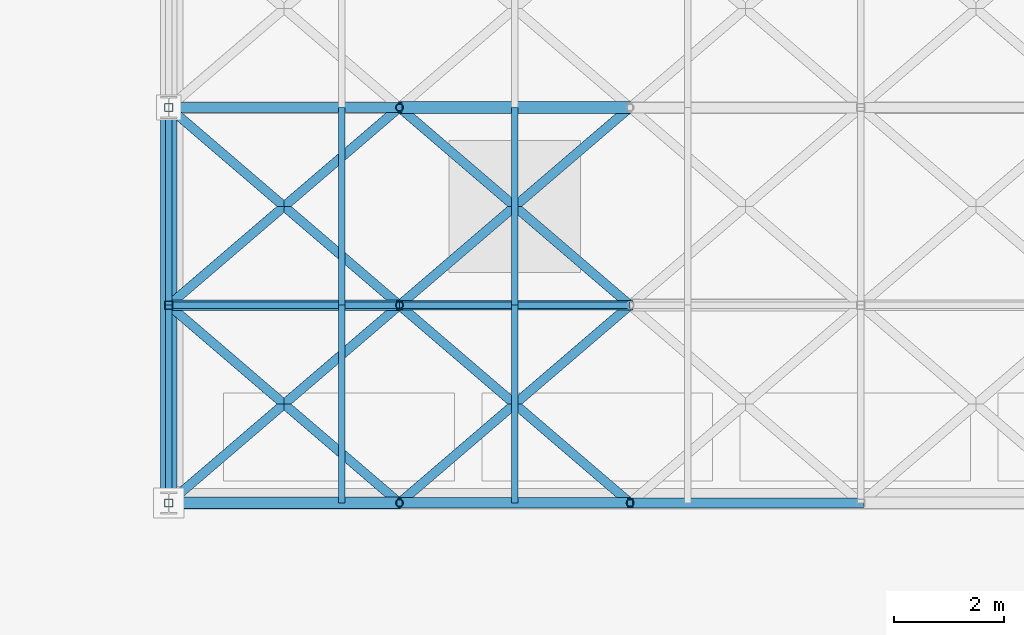
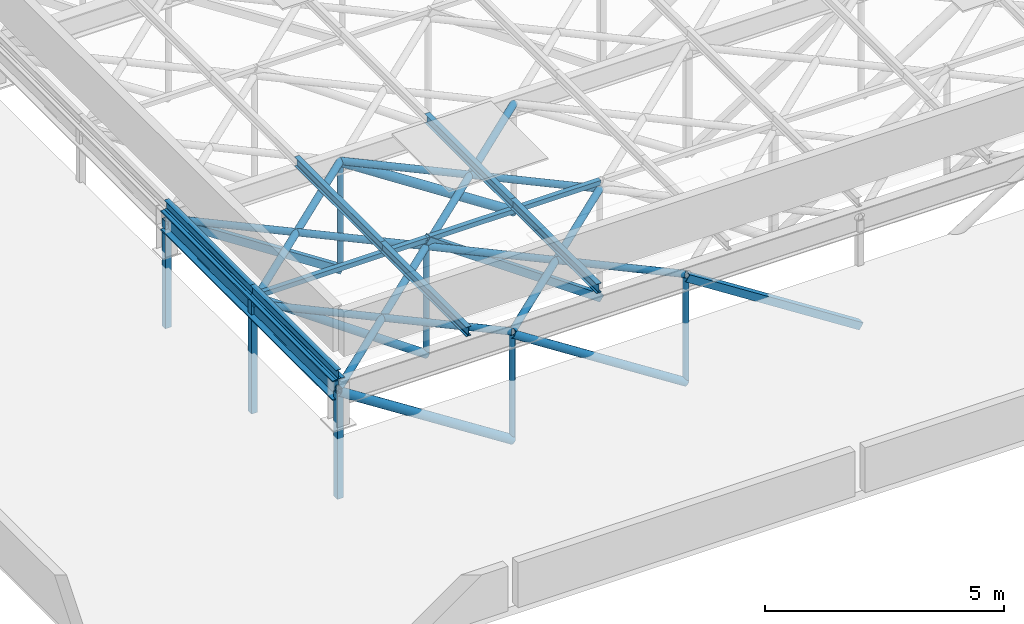
# One storey, part 4 of 45: 30 members, 1 beam.
"""IFC4 building model written with IfcOpenShell, lengths in metres."""

from ifc_helpers import new_model, si_unit, derived_unit, direction, frame, origin, origin_2d, place, context, subcontext, project, spatial, hollow_rectangle, hollow_circle, i_section, extrude, material, material_profile, profile_set, type_object, element, save


model = new_model("IFC4")

# Units and contexts
model_context = context("Model", 3, precision=1e-05, world=origin(), true_north=direction((0.0, 1.0)))
body_context = subcontext(model_context, "Body", "Model", "MODEL_VIEW")
ifc_project = project(units=[si_unit("LENGTHUNIT", "METRE"), si_unit("AREAUNIT", "SQUARE_METRE"), si_unit("VOLUMEUNIT", "CUBIC_METRE"), si_unit("PLANEANGLEUNIT", "RADIAN"), si_unit("MASSUNIT", "GRAM", prefix="KILO"), derived_unit("THERMALTRANSMITTANCEUNIT", [(si_unit("MASSUNIT", "GRAM", prefix="KILO"), 1), (si_unit("TIMEUNIT", "SECOND"), -3), (si_unit("THERMODYNAMICTEMPERATUREUNIT", "KELVIN"), -1)])], contexts=[model_context])

# Site, building, storey
site_placement = place(None, origin())
site = spatial("IfcSite", under=ifc_project, at=site_placement, CompositionType="ELEMENT")
building_placement = place(site_placement, origin())
building = spatial("IfcBuilding", under=site, at=building_placement, Name="Veldstrom Oceanarium and Marine Research Institute", CompositionType="ELEMENT")
storey_placement = place(building_placement, frame((0.0, 0.0, 22.199951171875)))
storey = spatial("IfcBuildingStorey", under=building, at=storey_placement, Name="L04", CompositionType="ELEMENT", Elevation=22.199951171875)

# Beam
ifc_material_1 = material(Name="Steel S355JR", Category="steel")
ifc_material_profile_1 = material_profile(ifc_material_1, i_section(OverallWidth=0.300048828125, OverallDepth=0.5, WebThickness=0.014404296875, FlangeThickness=0.028076171875, FilletRadius=0.027099609375, at=origin_2d()), Name="HEB 500")
ifc_profile_set_1 = profile_set([ifc_material_profile_1], Name="Steel S355JR")
beam_type = type_object("IfcBeamType", Name="STR-BM-SB4", PredefinedType="BEAM", material=ifc_profile_set_1)
beam_placement = place(storey_placement, frame((16.800048828125, 14.39990234375, 0.860107421875), z_axis=(0.0, 1.0, 0.0), x_axis=(-1.0, 0.0, 0.0)))
element("IfcBeam", 1, at=beam_placement, inside=storey, type_object=beam_type, Name="Hall Roof Edge Girder 3/C", PredefinedType="BEAM", context=body_context, shape_type="SweptSolid", body=[
    extrude(i_section(OverallWidth=0.300048828125, OverallDepth=0.5, WebThickness=0.014404296875, FlangeThickness=0.028076171875, FilletRadius=0.027099609375, at=origin_2d()), origin(), (0.0, 0.0, 1.0), 7.2001953125),
])

# Members
ifc_material_2 = material(Name="Steel S355JR", Category="steel")
ifc_material_profile_2 = material_profile(ifc_material_2, hollow_circle(Radius=0.109619140625, WallThickness=0.012451171875, at=origin_2d()), Name="CHS 219.1x12.5")
ifc_profile_set_2 = profile_set([ifc_material_profile_2], Name="Steel S355JR")
member_type_1 = type_object("IfcMemberType", Name="STR-MEM-BR1", PredefinedType="BRACE", material=ifc_profile_set_2)
member_1_placement = place(storey_placement, frame((16.800048828125, 14.39990234375, 0.801513671875), z_axis=(0.841046607487, 0.0, -0.540962664178), x_axis=(0.0, 1.0, 0.0)))
element("IfcMember", 2, at=member_1_placement, inside=storey, type_object=member_type_1, Name="Truss Web Diagonal RT01-1", PredefinedType="BRACE", context=body_context, shape_type="SweptSolid", body=[
    extrude(hollow_circle(Radius=0.109619140625, WallThickness=0.012451171875, at=origin_2d()), origin(), (0.0, 0.0, 1.0), 4.99365234375),
])
member_2_placement = place(storey_placement, frame((21.0, 21.60009765625, 0.843505859375), z_axis=(0.837217300889, 0.0, -0.546870360407), x_axis=(0.0, 1.0, 0.0)))
element("IfcMember", 3, at=member_2_placement, inside=storey, type_object=member_type_1, Name="Truss Web Diagonal RT03-2", PredefinedType="BRACE", context=body_context, shape_type="SweptSolid", body=[
    extrude(hollow_circle(Radius=0.109619140625, WallThickness=0.012451171875, at=origin_2d()), origin(), (0.0, 0.0, 1.0), 5.0166015625),
])
ifc_material_3 = material(Name="Steel S355JR", Category="steel")
ifc_material_profile_3 = material_profile(ifc_material_3, hollow_circle(Radius=0.096923828125, WallThickness=0.010009765625, at=origin_2d()), Name="CHS 193.7x10")
ifc_profile_set_3 = profile_set([ifc_material_profile_3], Name="Steel S355JR")
member_type_2 = type_object("IfcMemberType", Name="STR-MEM-BR2", PredefinedType="BRACE", material=ifc_profile_set_3)
member_3_placement = place(storey_placement, frame((21.0, 14.39990234375, 0.801513671875), z_axis=(0.841046607487, 0.0, -0.540962664178), x_axis=(0.0, 1.0, 0.0)))
element("IfcMember", 4, at=member_3_placement, inside=storey, type_object=member_type_2, Name="Truss Web Diagonal RT01-2", PredefinedType="BRACE", context=body_context, shape_type="SweptSolid", body=[
    extrude(hollow_circle(Radius=0.096923828125, WallThickness=0.010009765625, at=origin_2d()), origin(), (0.0, 0.0, 1.0), 4.99365234375),
])
member_4_placement = place(storey_placement, frame((16.800048828125, 18.0, 1.050048828125), z_axis=(0.818316866904, 0.0, -0.574767348881), x_axis=(0.0, 1.0, 0.0)))
element("IfcMember", 5, at=member_4_placement, inside=storey, type_object=member_type_2, Name="Truss Web Diagonal RT02-1", PredefinedType="BRACE", context=body_context, shape_type="SweptSolid", body=[
    extrude(hollow_circle(Radius=0.096923828125, WallThickness=0.010009765625, at=origin_2d()), origin(), (0.0, 0.0, 1.0), 5.13232421875),
])
ifc_material_4 = material(Name="Steel S355JR", Category="steel")
ifc_material_profile_4 = material_profile(ifc_material_4, hollow_circle(Radius=0.084228515625, WallThickness=0.008056640625, at=origin_2d()), Name="CHS 168.3x8")
ifc_profile_set_4 = profile_set([ifc_material_profile_4], Name="Steel S355JR")
member_type_3 = type_object("IfcMemberType", Name="STR-MEM-BR3", PredefinedType="BRACE", material=ifc_profile_set_4)
for number, where, z_axis, x_axis, name in (
    (6, (16.800048828125, 14.39990234375, 0.860107421875), (0.759244140748, 0.650805911728, 0.0), (-0.650805911728, 0.759244140748, 0.0), "Roof Plan Wind Brace WB-01-1"),
    (7, (21.0, 14.39990234375, 0.860107421875), (-0.759244140748, 0.650805911728, 0.0), (-0.650805911728, -0.759244140748, 0.0), "Roof Plan Counter Wind Brace WB-01-1B"),
    (8, (21.0, 14.39990234375, 0.860107421875), (0.759244140748, 0.650805911728, 0.0), (-0.650805911728, 0.759244140748, 0.0), "Roof Plan Wind Brace WB-01-2"),
    (9, (25.199951171875, 14.39990234375, 0.860107421875), (-0.759244140748, 0.650805911728, 0.0), (-0.650805911728, -0.759244140748, 0.0), "Roof Plan Counter Wind Brace WB-01-2B"),
    (10, (16.800048828125, 18.0, 0.860107421875), (0.759244140748, 0.650805911728, 0.0), (-0.650805911728, 0.759244140748, 0.0), "Roof Plan Wind Brace WB-02-1"),
    (11, (21.0, 18.0, 0.860107421875), (-0.759244140748, 0.650805911728, 0.0), (-0.650805911728, -0.759244140748, 0.0), "Roof Plan Counter Wind Brace WB-02-1B"),
    (12, (21.0, 18.0, 0.860107421875), (0.759244140748, 0.650805911728, 0.0), (-0.650805911728, 0.759244140748, 0.0), "Roof Plan Wind Brace WB-02-2"),
    (13, (25.199951171875, 18.0, 0.860107421875), (-0.759244140748, 0.650805911728, 0.0), (-0.650805911728, -0.759244140748, 0.0), "Roof Plan Counter Wind Brace WB-02-2B"),
):
    element("IfcMember", number, at=place(storey_placement, frame(where, z_axis=z_axis, x_axis=x_axis)), inside=storey, type_object=member_type_3, Name=name, PredefinedType="BRACE", context=body_context, shape_type="SweptSolid", body=[
        extrude(hollow_circle(Radius=0.084228515625, WallThickness=0.008056640625, at=origin_2d()), origin(), (0.0, 0.0, 1.0), 5.53173828125),
    ])
ifc_material_5 = material(Name="Steel S355JR", Category="steel")
ifc_material_profile_5 = material_profile(ifc_material_5, hollow_rectangle(XDim=0.179931640625, YDim=0.179931640625, WallThickness=0.010009765625, at=origin_2d()), Name="SHS 180x180x10")
ifc_profile_set_5 = profile_set([ifc_material_profile_5], Name="Steel S355JR")
member_type_4 = type_object("IfcMemberType", Name="STR-MEM-BR4", PredefinedType="BRACE", material=ifc_profile_set_5)
member_5_placement = place(storey_placement, frame((25.199951171875, 14.39990234375, 0.801513671875), z_axis=(0.841046607487, 0.0, -0.540962664178), x_axis=(0.0, 1.0, 0.0)))
element("IfcMember", 14, at=member_5_placement, inside=storey, type_object=member_type_4, Name="Truss Web Diagonal RT01-3", PredefinedType="BRACE", context=body_context, shape_type="SweptSolid", body=[
    extrude(hollow_rectangle(XDim=0.179931640625, YDim=0.179931640625, WallThickness=0.010009765625, at=origin_2d()), origin(), (0.0, 0.0, 1.0), 4.99365234375),
])
member_6_placement = place(storey_placement, frame((21.0, 18.0, 1.050048828125), z_axis=(0.818316866904, 0.0, -0.574767348881), x_axis=(0.0, 1.0, 0.0)))
element("IfcMember", 15, at=member_6_placement, inside=storey, type_object=member_type_4, Name="Truss Web Diagonal RT02-2", PredefinedType="BRACE", context=body_context, shape_type="SweptSolid", body=[
    extrude(hollow_rectangle(XDim=0.179931640625, YDim=0.179931640625, WallThickness=0.010009765625, at=origin_2d()), origin(), (0.0, 0.0, 1.0), 5.13232421875),
])
member_7_placement = place(storey_placement, frame((16.800048828125, 21.60009765625, 0.843505859375), z_axis=(0.837217300889, 0.0, -0.546870360407), x_axis=(0.0, 1.0, 0.0)))
element("IfcMember", 16, at=member_7_placement, inside=storey, type_object=member_type_4, Name="Truss Web Diagonal RT03-1", PredefinedType="BRACE", context=body_context, shape_type="SweptSolid", body=[
    extrude(hollow_rectangle(XDim=0.179931640625, YDim=0.179931640625, WallThickness=0.010009765625, at=origin_2d()), origin(), (0.0, 0.0, 1.0), 5.0166015625),
])
ifc_material_6 = material(Name="Steel S355JR", Category="steel")
ifc_material_profile_6 = material_profile(ifc_material_6, i_section(OverallWidth=0.1201171875, OverallDepth=0.239990234375, WebThickness=0.006103515625, FlangeThickness=0.009765625, FilletRadius=0.014892578125, at=origin_2d()), Name="IPE 240")
ifc_profile_set_6 = profile_set([ifc_material_profile_6], Name="Steel S355JR")
member_type_5 = type_object("IfcMemberType", Name="STR-MEM-PR1", PredefinedType="PURLIN", material=ifc_profile_set_6)
for number, where, z_axis, x_axis, name in (
    (17, (16.800048828125, 14.39990234375, 1.22998046875), (0.0, 1.0, 0.0), (-1.0, 0.0, 0.0), "Hall Roof Purlin PR-02-1"),
    (18, (19.949951171875, 14.39990234375, 1.22998046875), (0.0, 1.0, 0.0), (-1.0, 0.0, 0.0), "Hall Roof Purlin PR-02-2"),
    (19, (23.10009765625, 14.39990234375, 1.22998046875), (0.0, 1.0, 0.0), (-1.0, 0.0, 0.0), "Hall Roof Purlin PR-02-3"),
    (20, (16.800048828125, 18.0, 1.22998046875), (0.0, 1.0, 0.0), (-1.0, 0.0, 0.0), "Hall Roof Purlin PR-03-1"),
    (21, (19.949951171875, 18.0, 1.22998046875), (0.0, 1.0, 0.0), (-1.0, 0.0, 0.0), "Hall Roof Purlin PR-03-2"),
    (22, (23.10009765625, 18.0, 1.22998046875), (0.0, 1.0, 0.0), (-1.0, 0.0, 0.0), "Hall Roof Purlin PR-03-3"),
):
    element("IfcMember", number, at=place(storey_placement, frame(where, z_axis=z_axis, x_axis=x_axis)), inside=storey, type_object=member_type_5, Name=name, PredefinedType="PURLIN", context=body_context, shape_type="SweptSolid", body=[
        extrude(i_section(OverallWidth=0.1201171875, OverallDepth=0.239990234375, WebThickness=0.006103515625, FlangeThickness=0.009765625, FilletRadius=0.014892578125, at=origin_2d()), origin(), (0.0, 0.0, 1.0), 3.60009765625),
    ])
ifc_material_7 = material(Name="Steel S355JR", Category="steel")
ifc_material_profile_7 = material_profile(ifc_material_7, hollow_rectangle(XDim=0.14990234375, YDim=0.14990234375, WallThickness=0.010009765625, at=origin_2d()), Name="SHS 150x150x10")
ifc_profile_set_7 = profile_set([ifc_material_profile_7], Name="Steel S355JR")
member_type_6 = type_object("IfcMemberType", Name="STR-MEM-PS1", PredefinedType="POST", material=ifc_profile_set_7)
member_8_placement = place(storey_placement, frame((16.800048828125, 14.39990234375, -1.89990234375), z_axis=(0.0, 0.0, 1.0), x_axis=(1.0, 0.0, 0.0)))
element("IfcMember", 23, at=member_8_placement, inside=storey, type_object=member_type_6, Name="Truss Vertical Post RT01-1", PredefinedType="POST", context=body_context, shape_type="SweptSolid", body=[
    extrude(hollow_rectangle(XDim=0.14990234375, YDim=0.14990234375, WallThickness=0.010009765625, at=origin_2d()), origin(), (0.0, 0.0, 1.0), 2.701416015625),
])
member_9_placement = place(storey_placement, frame((16.800048828125, 18.0, -1.89990234375), z_axis=(0.0, 0.0, 1.0), x_axis=(1.0, 0.0, 0.0)))
element("IfcMember", 24, at=member_9_placement, inside=storey, type_object=member_type_6, Name="Truss Vertical Post RT02-1", PredefinedType="POST", context=body_context, shape_type="SweptSolid", body=[
    extrude(hollow_rectangle(XDim=0.14990234375, YDim=0.14990234375, WallThickness=0.010009765625, at=origin_2d()), origin(), (0.0, 0.0, 1.0), 2.949951171875),
])
member_10_placement = place(storey_placement, frame((16.800048828125, 21.60009765625, -1.89990234375), z_axis=(0.0, 0.0, 1.0), x_axis=(1.0, 0.0, 0.0)))
element("IfcMember", 25, at=member_10_placement, inside=storey, type_object=member_type_6, Name="Truss Vertical Post RT03-1", PredefinedType="POST", context=body_context, shape_type="SweptSolid", body=[
    extrude(hollow_rectangle(XDim=0.14990234375, YDim=0.14990234375, WallThickness=0.010009765625, at=origin_2d()), origin(), (0.0, 0.0, 1.0), 2.743408203125),
])
ifc_material_8 = material(Name="Steel S355JR", Category="steel")
ifc_material_profile_8 = material_profile(ifc_material_8, hollow_circle(Radius=0.06982421875, WallThickness=0.008056640625, at=origin_2d()), Name="CHS 139.7x8")
ifc_profile_set_8 = profile_set([ifc_material_profile_8], Name="Steel S355JR")
member_type_7 = type_object("IfcMemberType", Name="STR-MEM-PS2", PredefinedType="POST", material=ifc_profile_set_8)
for number, where, z_axis, x_axis, name in (
    (26, (21.0, 14.39990234375, -1.89990234375), (0.0, 0.0, 1.0), (1.0, 0.0, 0.0), "Truss Vertical Post RT01-2"),
    (27, (25.199951171875, 14.39990234375, -1.89990234375), (0.0, 0.0, 1.0), (1.0, 0.0, 0.0), "Truss Vertical Post RT01-3"),
):
    element("IfcMember", number, at=place(storey_placement, frame(where, z_axis=z_axis, x_axis=x_axis)), inside=storey, type_object=member_type_7, Name=name, PredefinedType="POST", context=body_context, shape_type="SweptSolid", body=[
        extrude(hollow_circle(Radius=0.06982421875, WallThickness=0.008056640625, at=origin_2d()), origin(), (0.0, 0.0, 1.0), 2.701416015625),
    ])
member_11_placement = place(storey_placement, frame((21.0, 18.0, -1.89990234375), z_axis=(0.0, 0.0, 1.0), x_axis=(1.0, 0.0, 0.0)))
element("IfcMember", 28, at=member_11_placement, inside=storey, type_object=member_type_7, Name="Truss Vertical Post RT02-2", PredefinedType="POST", context=body_context, shape_type="SweptSolid", body=[
    extrude(hollow_circle(Radius=0.06982421875, WallThickness=0.008056640625, at=origin_2d()), origin(), (0.0, 0.0, 1.0), 2.949951171875),
])
member_12_placement = place(storey_placement, frame((21.0, 21.60009765625, -1.89990234375), z_axis=(0.0, 0.0, 1.0), x_axis=(1.0, 0.0, 0.0)))
element("IfcMember", 29, at=member_12_placement, inside=storey, type_object=member_type_7, Name="Truss Vertical Post RT03-2", PredefinedType="POST", context=body_context, shape_type="SweptSolid", body=[
    extrude(hollow_circle(Radius=0.06982421875, WallThickness=0.008056640625, at=origin_2d()), origin(), (0.0, 0.0, 1.0), 2.743408203125),
])
ifc_material_9 = material(Name="Steel S355JR", Category="steel")
ifc_material_profile_9 = material_profile(ifc_material_9, hollow_rectangle(XDim=0.1201171875, YDim=0.1201171875, WallThickness=0.008056640625, at=origin_2d()), Name="SHS 120x120x8")
ifc_profile_set_9 = profile_set([ifc_material_profile_9], Name="Steel S355JR")
member_type_8 = type_object("IfcMemberType", Name="STR-MEM-RF1", PredefinedType="RAFTER", material=ifc_profile_set_9)
for number, where, z_axis, x_axis, name in (
    (30, (16.800048828125, 18.0, 1.050048828125), (1.0, 0.0, 0.0), (0.0, 1.0, 0.0), "Truss Top Rafter RT02-1"),
    (31, (21.0, 18.0, 1.050048828125), (1.0, 0.0, 0.0), (0.0, 1.0, 0.0), "Truss Top Rafter RT02-2"),
):
    element("IfcMember", number, at=place(storey_placement, frame(where, z_axis=z_axis, x_axis=x_axis)), inside=storey, type_object=member_type_8, Name=name, PredefinedType="RAFTER", context=body_context, shape_type="SweptSolid", body=[
        extrude(hollow_rectangle(XDim=0.1201171875, YDim=0.1201171875, WallThickness=0.008056640625, at=origin_2d()), origin(), (0.0, 0.0, 1.0), 4.199951171875),
    ])

save(model, "model.ifc")
